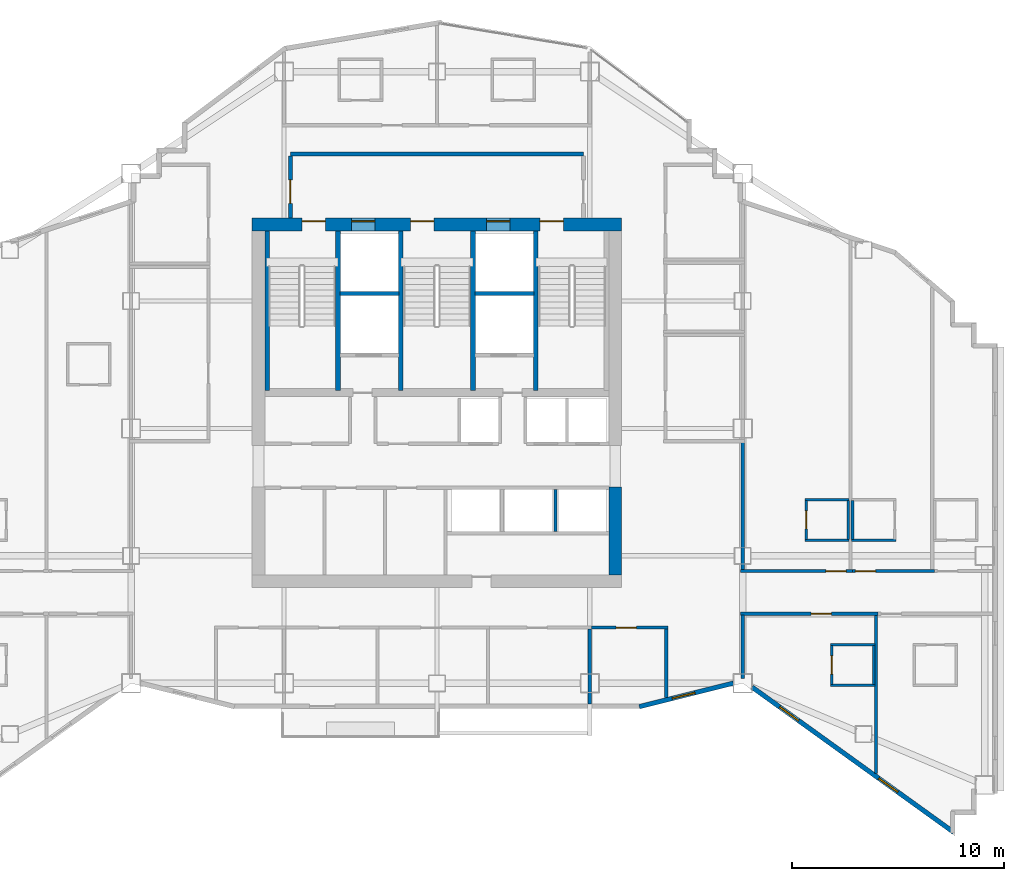
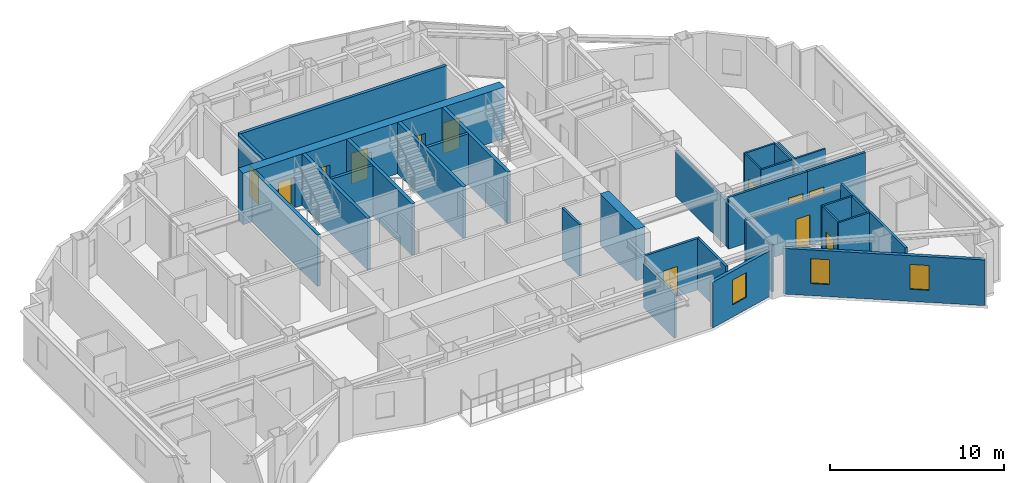
# One storey, part 7 of 13: 33 walls, 12 doors, 3 windows, 15 openings.
"""IFC4 building model written with IfcOpenShell, lengths in metres."""

from ifc_helpers import new_model, si_unit, direction, frame, frame_2d, origin, place, context, subcontext, project, spatial, rectangle, extrude, material, layer, layer_set, type_object, element, fill, save


model = new_model("IFC4")

# Units and contexts
model_context = context("Model", 3, precision=1e-05, world=origin(), true_north=direction((0.0, 1.0)))
body_context = subcontext(model_context, "Body", "Model", "MODEL_VIEW")
ifc_project = project(units=[si_unit("LENGTHUNIT", "METRE"), si_unit("AREAUNIT", "SQUARE_METRE"), si_unit("VOLUMEUNIT", "CUBIC_METRE"), si_unit("PLANEANGLEUNIT", "RADIAN"), si_unit("MASSUNIT", "GRAM", prefix="KILO")], contexts=[model_context])

# Site, building, storey
site_placement = place(None, origin())
site = spatial("IfcSite", under=ifc_project, at=site_placement, CompositionType="ELEMENT")
building_placement = place(site_placement, origin())
building = spatial("IfcBuilding", under=site, at=building_placement, Name="Haolan Belvedere Tower", CompositionType="ELEMENT")
storey_placement = place(building_placement, frame((0.0, 0.0, 219.199951171875)))
storey = spatial("IfcBuildingStorey", under=building, at=storey_placement, Name="L55", CompositionType="ELEMENT", Elevation=219.199951171875)

# Wall, openings, doors
ifc_material_1 = material(Name="Concrete C60/75", Category="concrete")
ifc_layer_1 = layer(ifc_material_1, 0.60009765625, Name="Concrete C60/75")
ifc_layer_set_1 = layer_set([ifc_layer_1], Name="Concrete C60/75")
wall_type_1 = type_object("IfcWallType", Name="WL-CORE-600", PredefinedType="SHEAR", material=ifc_layer_set_1)
wall_1_placement = place(storey_placement, frame((29.699951171875, 43.199951171875, 0.0), z_axis=(0.0, 0.0, 1.0), x_axis=(1.0, 0.0, 0.0)))
wall_1 = element("IfcWall", 1, at=wall_1_placement, inside=storey, type_object=wall_type_1, Name="L55 central core north shear wall", PredefinedType="SHEAR", context=body_context, shape_type="SweptSolid", body=[
    extrude(rectangle(XDim=17.400146484375, YDim=0.60009765625, at=frame_2d((8.7001953125, 0.0))), origin(), (0.0, 0.0, 1.0), 3.6201171875),
])
opening_1_placement = place(wall_1_placement, frame((2.35009765625, 0.0, 0.0)))
opening_1 = element("IfcOpeningElement", 2, at=opening_1_placement, cuts=wall_1, Name="Opening FD-03", PredefinedType="OPENING", context=body_context, shape_type="SweptSolid", body=[
    extrude(rectangle(XDim=1.10009765625, YDim=2.14990234375, at=frame_2d((0.550048828125, 1.074951171875))), frame((0.0, 0.31005859375, 0.0), z_axis=(0.0, -1.0, 0.0), x_axis=(1.0, 0.0, 0.0)), (0.0, 0.0, 1.0), 0.6201171875),
])
opening_2_placement = place(wall_1_placement, frame((7.4599609375, 0.0, 0.0)))
opening_2 = element("IfcOpeningElement", 3, at=opening_2_placement, cuts=wall_1, Name="Opening FD-03", PredefinedType="OPENING", context=body_context, shape_type="SweptSolid", body=[
    extrude(rectangle(XDim=1.10009765625, YDim=2.14990234375, at=frame_2d((0.550048828125, 1.074951171875))), frame((0.0, 0.31005859375, 0.0), z_axis=(0.0, -1.0, 0.0), x_axis=(1.0, 0.0, 0.0)), (0.0, 0.0, 1.0), 0.6201171875),
])
opening_3_placement = place(wall_1_placement, frame((13.550048828125, 0.0, 0.0)))
opening_3 = element("IfcOpeningElement", 4, at=opening_3_placement, cuts=wall_1, Name="Opening FD-03", PredefinedType="OPENING", context=body_context, shape_type="SweptSolid", body=[
    extrude(rectangle(XDim=1.10009765625, YDim=2.14990234375, at=frame_2d((0.550048828125, 1.074951171875))), frame((0.0, 0.31005859375, 0.0), z_axis=(0.0, -1.0, 0.0), x_axis=(1.0, 0.0, 0.0)), (0.0, 0.0, 1.0), 0.6201171875),
])
opening_4_placement = place(wall_1_placement, frame((4.679931640625, 0.0, 0.0)))
opening_4 = element("IfcOpeningElement", 5, at=opening_4_placement, cuts=wall_1, Name="Opening LD-01", PredefinedType="OPENING", context=body_context, shape_type="SweptSolid", body=[
    extrude(rectangle(XDim=1.10009765625, YDim=2.199951171875, at=frame_2d((0.550048828125, 1.10009765625))), frame((0.0, 0.31005859375, 0.0), z_axis=(0.0, -1.0, 0.0), x_axis=(1.0, 0.0, 0.0)), (0.0, 0.0, 1.0), 0.6201171875),
])
opening_5_placement = place(wall_1_placement, frame((11.0400390625, 0.0, 0.0)))
opening_5 = element("IfcOpeningElement", 6, at=opening_5_placement, cuts=wall_1, Name="Opening LD-01", PredefinedType="OPENING", context=body_context, shape_type="SweptSolid", body=[
    extrude(rectangle(XDim=1.10009765625, YDim=2.199951171875, at=frame_2d((0.550048828125, 1.10009765625))), frame((0.0, 0.31005859375, 0.0), z_axis=(0.0, -1.0, 0.0), x_axis=(1.0, 0.0, 0.0)), (0.0, 0.0, 1.0), 0.6201171875),
])
ifc_material_2 = material(Name="Galvanised fire-rated steel", Category="steel")
door_type_1 = type_object("IfcDoorType", Name="DR-FD90-1100", OperationType="NOTDEFINED", PredefinedType="DOOR", material=ifc_material_2)
door_1_placement = place(opening_1_placement, origin())
door_1 = element("IfcDoor", 7, at=door_1_placement, inside=storey, type_object=door_type_1, Name="L55 door CD-L55-ST1", OperationType="SINGLE_SWING_LEFT", OverallHeight=2.14990234375, OverallWidth=1.10009765625, PredefinedType="DOOR", context=body_context, shape_type="SweptSolid", body=[
    extrude(rectangle(XDim=1.10009765625, YDim=2.14990234375, at=frame_2d((0.550048828125, 1.074951171875))), frame((0.0, 0.18505859375, 0.0), z_axis=(0.0, -1.0, 0.0), x_axis=(1.0, 0.0, 0.0)), (0.0, 0.0, 1.0), 0.050048828125),
])
fill(opening_1, door_1)
door_2_placement = place(opening_2_placement, origin())
door_2 = element("IfcDoor", 8, at=door_2_placement, inside=storey, type_object=door_type_1, Name="L55 door CD-L55-ST3", OperationType="SINGLE_SWING_LEFT", OverallHeight=2.14990234375, OverallWidth=1.10009765625, PredefinedType="DOOR", context=body_context, shape_type="SweptSolid", body=[
    extrude(rectangle(XDim=1.10009765625, YDim=2.14990234375, at=frame_2d((0.550048828125, 1.074951171875))), frame((0.0, 0.18505859375, 0.0), z_axis=(0.0, -1.0, 0.0), x_axis=(1.0, 0.0, 0.0)), (0.0, 0.0, 1.0), 0.050048828125),
])
fill(opening_2, door_2)
door_3_placement = place(opening_3_placement, origin())
door_3 = element("IfcDoor", 9, at=door_3_placement, inside=storey, type_object=door_type_1, Name="L55 door CD-L55-ST2", OperationType="SINGLE_SWING_RIGHT", OverallHeight=2.14990234375, OverallWidth=1.10009765625, PredefinedType="DOOR", context=body_context, shape_type="SweptSolid", body=[
    extrude(rectangle(XDim=1.10009765625, YDim=2.14990234375, at=frame_2d((0.550048828125, 1.074951171875))), frame((0.0, 0.18505859375, 0.0), z_axis=(0.0, -1.0, 0.0), x_axis=(1.0, 0.0, 0.0)), (0.0, 0.0, 1.0), 0.050048828125),
])
fill(opening_3, door_3)
ifc_material_3 = material(Name="Brushed champagne stainless steel 316L", Category="steel")
door_type_2 = type_object("IfcDoorType", Name="DR-LIFT-1100", OperationType="SLIDING_TO_LEFT", PredefinedType="DOOR", material=ifc_material_3)
door_4_placement = place(opening_4_placement, origin())
door_4 = element("IfcDoor", 10, at=door_4_placement, inside=storey, type_object=door_type_2, Name="L55 door LD-L55-FF1", OperationType="SLIDING_TO_LEFT", OverallHeight=2.199951171875, OverallWidth=1.10009765625, PredefinedType="DOOR", context=body_context, shape_type="SweptSolid", body=[
    extrude(rectangle(XDim=1.10009765625, YDim=2.199951171875, at=frame_2d((0.550048828125, 1.10009765625))), frame((0.0, 0.18505859375, 0.0), z_axis=(0.0, -1.0, 0.0), x_axis=(1.0, 0.0, 0.0)), (0.0, 0.0, 1.0), 0.050048828125),
])
fill(opening_4, door_4)
door_5_placement = place(opening_5_placement, origin())
door_5 = element("IfcDoor", 11, at=door_5_placement, inside=storey, type_object=door_type_2, Name="L55 door LD-L55-FF2", OperationType="SLIDING_TO_LEFT", OverallHeight=2.199951171875, OverallWidth=1.10009765625, PredefinedType="DOOR", context=body_context, shape_type="SweptSolid", body=[
    extrude(rectangle(XDim=1.10009765625, YDim=2.199951171875, at=frame_2d((0.550048828125, 1.10009765625))), frame((0.0, 0.18505859375, 0.0), z_axis=(0.0, -1.0, 0.0), x_axis=(1.0, 0.0, 0.0)), (0.0, 0.0, 1.0), 0.050048828125),
])
fill(opening_5, door_5)

# Wall
wall_2_placement = place(storey_placement, frame((46.800048828125, 26.699951171875, 0.0), z_axis=(0.0, 0.0, 1.0), x_axis=(0.0, 1.0, 0.0)))
element("IfcWall", 12, at=wall_2_placement, inside=storey, type_object=wall_type_1, Name="L55 central core shear wall ES", PredefinedType="SHEAR", context=body_context, shape_type="SweptSolid", body=[
    extrude(rectangle(XDim=4.150146484375, YDim=0.60009765625, at=frame_2d((2.0751953125, 0.0))), origin(), (0.0, 0.0, 1.0), 3.6201171875),
])

# Wall, opening, window
ifc_material_4 = material(Name="Precast concrete C40/50", Category="concrete")
ifc_layer_2 = layer(ifc_material_4, 0.219970703125, Name="Precast concrete C40/50")
ifc_layer_set_2 = layer_set([ifc_layer_2], Name="Precast concrete C40/50")
wall_type_2 = type_object("IfcWallType", Name="WL-EXT-220", PredefinedType="SOLIDWALL", material=ifc_layer_set_2)
wall_3_placement = place(storey_placement, frame((47.93310546875, 20.49658203125, 0.0), z_axis=(0.0, 0.0, 1.0), x_axis=(0.970142500145, 0.242535625036, 0.0)))
wall_3 = element("IfcWall", 13, at=wall_3_placement, inside=storey, type_object=wall_type_2, Name="L55 pale-metal exterior spandrel wall 2.1", PredefinedType="SOLIDWALL", context=body_context, shape_type="SweptSolid", body=[
    extrude(rectangle(XDim=4.56103515625, YDim=0.219970703125, at=frame_2d((2.280517578125, 0.0))), origin(), (0.0, 0.0, 1.0), 3.215087890625),
])
opening_6_placement = place(wall_3_placement, frame((1.60009765625, 0.0, 0.85009765625)))
opening_6 = element("IfcOpeningElement", 14, at=opening_6_placement, cuts=wall_3, Name="Opening W-03", PredefinedType="OPENING", context=body_context, shape_type="SweptSolid", body=[
    extrude(rectangle(XDim=1.10009765625, YDim=1.75, at=frame_2d((0.550048828125, 0.875))), frame((0.0, 0.119873046875, 0.0), z_axis=(0.0, -1.0, 0.0), x_axis=(1.0, 0.0, 0.0)), (0.0, 0.0, 1.0), 0.239990234375),
])
ifc_material_5 = material(Name="Anodised aluminium 6063-T6 and Low-E glass", Category="aluminium")
window_type = type_object("IfcWindowType", Name="WN-DECO-Z3", PartitioningType="SINGLE_PANEL", PredefinedType="WINDOW", material=ifc_material_5)
window_1_placement = place(opening_6_placement, origin())
window_1 = element("IfcWindow", 15, at=window_1_placement, inside=storey, type_object=window_type, Name="L55 Art Deco chevron window 1", OverallHeight=1.75, OverallWidth=1.10009765625, PartitioningType="SINGLE_PANEL", PredefinedType="WINDOW", context=body_context, shape_type="SweptSolid", body=[
    extrude(rectangle(XDim=1.10009765625, YDim=1.75, at=frame_2d((0.550048828125, 0.875))), frame((0.0, 0.030029296875, 0.0), z_axis=(0.0, -1.0, 0.0), x_axis=(1.0, 0.0, 0.0)), (0.0, 0.0, 1.0), 0.06005859375),
])
fill(opening_6, window_1)

# Wall, openings, windows
wall_4_placement = place(storey_placement, frame((53.241943359375, 21.417236328125, 0.0), z_axis=(0.0, 0.0, 1.0), x_axis=(0.811534737332, -0.58430417601, 0.0)))
wall_4 = element("IfcWall", 16, at=wall_4_placement, inside=storey, type_object=wall_type_2, Name="L55 pale-metal exterior spandrel wall 3.1", PredefinedType="SOLIDWALL", context=body_context, shape_type="SweptSolid", body=[
    extrude(rectangle(XDim=11.697265625, YDim=0.219970703125, at=frame_2d((5.8486328125, 0.0))), origin(), (0.0, 0.0, 1.0), 3.215087890625),
])
opening_7_placement = place(wall_4_placement, frame((1.60009765625, 0.0, 0.85009765625)))
opening_7 = element("IfcOpeningElement", 17, at=opening_7_placement, cuts=wall_4, Name="Opening W-03", PredefinedType="OPENING", context=body_context, shape_type="SweptSolid", body=[
    extrude(rectangle(XDim=1.10009765625, YDim=1.75, at=frame_2d((0.550048828125, 0.875))), frame((0.0, 0.119873046875, 0.0), z_axis=(0.0, -1.0, 0.0), x_axis=(1.0, 0.0, 0.0)), (0.0, 0.0, 1.0), 0.239990234375),
])
opening_8_placement = place(wall_4_placement, frame((7.35546875, 0.0, 0.85009765625)))
opening_8 = element("IfcOpeningElement", 18, at=opening_8_placement, cuts=wall_4, Name="Opening W-03", PredefinedType="OPENING", context=body_context, shape_type="SweptSolid", body=[
    extrude(rectangle(XDim=1.10009765625, YDim=1.75, at=frame_2d((0.550048828125, 0.875))), frame((0.0, 0.119873046875, 0.0), z_axis=(0.0, -1.0, 0.0), x_axis=(1.0, 0.0, 0.0)), (0.0, 0.0, 1.0), 0.239990234375),
])
window_2_placement = place(opening_7_placement, origin())
window_2 = element("IfcWindow", 19, at=window_2_placement, inside=storey, type_object=window_type, Name="L55 Art Deco chevron window 1", OverallHeight=1.75, OverallWidth=1.10009765625, PartitioningType="SINGLE_PANEL", PredefinedType="WINDOW", context=body_context, shape_type="SweptSolid", body=[
    extrude(rectangle(XDim=1.10009765625, YDim=1.75, at=frame_2d((0.550048828125, 0.875))), frame((0.0, 0.030029296875, 0.0), z_axis=(0.0, -1.0, 0.0), x_axis=(1.0, 0.0, 0.0)), (0.0, 0.0, 1.0), 0.06005859375),
])
fill(opening_7, window_2)
window_3_placement = place(opening_8_placement, origin())
window_3 = element("IfcWindow", 20, at=window_3_placement, inside=storey, type_object=window_type, Name="L55 Art Deco chevron window 2", OverallHeight=1.75, OverallWidth=1.10009765625, PartitioningType="SINGLE_PANEL", PredefinedType="WINDOW", context=body_context, shape_type="SweptSolid", body=[
    extrude(rectangle(XDim=1.10009765625, YDim=1.75, at=frame_2d((0.550048828125, 0.875))), frame((0.0, 0.030029296875, 0.0), z_axis=(0.0, -1.0, 0.0), x_axis=(1.0, 0.0, 0.0)), (0.0, 0.0, 1.0), 0.06005859375),
])
fill(opening_8, window_3)

# Wall
ifc_material_6 = material(Name="Concrete C40/50", Category="concrete")
ifc_layer_3 = layer(ifc_material_6, 0.199951171875, Name="Concrete C40/50")
ifc_layer_set_3 = layer_set([ifc_layer_3], Name="Concrete C40/50")
wall_type_3 = type_object("IfcWallType", Name="WL-FIRE-200", PredefinedType="SOLIDWALL", material=ifc_layer_set_3)
wall_5_placement = place(storey_placement, frame((31.5, 46.52001953125, 0.0), z_axis=(0.0, 0.0, 1.0), x_axis=(1.0, 0.0, 0.0)))
element("IfcWall", 21, at=wall_5_placement, inside=storey, type_object=wall_type_3, Name="L55 interior partition IW-L55-FFL-N", PredefinedType="SOLIDWALL", context=body_context, shape_type="SweptSolid", body=[
    extrude(rectangle(XDim=13.800048828125, YDim=0.199951171875, at=frame_2d((6.89990234375, 0.0))), origin(), (0.0, 0.0, 1.0), 3.6201171875),
])

# Wall, opening, door
wall_6_placement = place(storey_placement, frame((31.5, 43.5, 0.0), z_axis=(0.0, 0.0, 1.0), x_axis=(0.0, 1.0, 0.0)))
wall_6 = element("IfcWall", 22, at=wall_6_placement, inside=storey, type_object=wall_type_3, Name="L55 interior partition IW-L55-FFL-W", PredefinedType="SOLIDWALL", context=body_context, shape_type="SweptSolid", body=[
    extrude(rectangle(XDim=2.93505859375, YDim=0.199951171875, at=frame_2d((1.467529296875, 0.0))), origin(), (0.0, 0.0, 1.0), 3.6201171875),
])
opening_9_placement = place(wall_6_placement, frame((1.800048828125, 0.0, 0.0), z_axis=(0.0, 0.0, 1.0), x_axis=(-1.0, 0.0, 0.0)))
opening_9 = element("IfcOpeningElement", 23, at=opening_9_placement, cuts=wall_6, Name="Opening FD-03", PredefinedType="OPENING", context=body_context, shape_type="SweptSolid", body=[
    extrude(rectangle(XDim=1.10009765625, YDim=2.14990234375, at=frame_2d((0.550048828125, 1.074951171875))), frame((0.0, 0.10986328125, 0.0), z_axis=(0.0, -1.0, 0.0), x_axis=(1.0, 0.0, 0.0)), (0.0, 0.0, 1.0), 0.219970703125),
])
door_6_placement = place(opening_9_placement, origin())
door_6 = element("IfcDoor", 24, at=door_6_placement, inside=storey, type_object=door_type_1, Name="L55 door ID-L55-FFL-DW", OperationType="SINGLE_SWING_LEFT", OverallHeight=2.14990234375, OverallWidth=1.10009765625, PredefinedType="DOOR", context=body_context, shape_type="SweptSolid", body=[
    extrude(rectangle(XDim=1.10009765625, YDim=2.14990234375, at=frame_2d((0.550048828125, 1.074951171875))), frame((0.0, 0.02490234375, 0.0), z_axis=(0.0, -1.0, 0.0), x_axis=(1.0, 0.0, 0.0)), (0.0, 0.0, 1.0), 0.050048828125),
])
fill(opening_9, door_6)

# Wall
ifc_material_7 = material(Name="Double gypsum acoustic stud partition", Category="masonry")
ifc_layer_4 = layer(ifc_material_7, 0.14990234375, Name="Double gypsum acoustic stud partition")
ifc_layer_set_4 = layer_set([ifc_layer_4], Name="Double gypsum acoustic stud partition")
wall_type_4 = type_object("IfcWallType", Name="WL-PART-150", PredefinedType="PARTITIONING", material=ifc_layer_set_4)
wall_7_placement = place(storey_placement, frame((45.60009765625, 20.612060546875, 0.0), z_axis=(0.0, 0.0, 1.0), x_axis=(0.0, 1.0, 0.0)))
element("IfcWall", 25, at=wall_7_placement, inside=storey, type_object=wall_type_4, Name="L55 interior partition IW-L55-KS5-E", PredefinedType="PARTITIONING", context=body_context, shape_type="SweptSolid", body=[
    extrude(rectangle(XDim=3.5478515625, YDim=0.14990234375, at=frame_2d((1.77392578125, 0.0))), origin(), (0.0, 0.0, 1.0), 3.10498046875),
])

# Wall, opening, door
wall_8_placement = place(storey_placement, frame((45.681884765625, 24.219970703125, 0.0), z_axis=(0.0, 0.0, 1.0), x_axis=(1.0, 0.0, 0.0)))
wall_8 = element("IfcWall", 26, at=wall_8_placement, inside=storey, type_object=wall_type_4, Name="L55 interior partition IW-L55-KS6-N", PredefinedType="PARTITIONING", context=body_context, shape_type="SweptSolid", body=[
    extrude(rectangle(XDim=3.59814453125, YDim=0.14990234375, at=frame_2d((1.799072265625, 0.0))), origin(), (0.0, 0.0, 1.0), 3.6201171875),
])
opening_10_placement = place(wall_8_placement, frame((2.113037109375, 0.0, 0.0), z_axis=(0.0, 0.0, 1.0), x_axis=(-1.0, 0.0, 0.0)))
opening_10 = element("IfcOpeningElement", 27, at=opening_10_placement, cuts=wall_8, Name="Opening ID-03", PredefinedType="OPENING", context=body_context, shape_type="SweptSolid", body=[
    extrude(rectangle(XDim=0.949951171875, YDim=2.1201171875, at=frame_2d((0.47509765625, 1.06005859375))), frame((0.0, 0.0849609375, 0.0), z_axis=(0.0, -1.0, 0.0), x_axis=(1.0, 0.0, 0.0)), (0.0, 0.0, 1.0), 0.169921875),
])
ifc_material_8 = material(Name="Painted solid-core timber", Category="wood")
door_type_3 = type_object("IfcDoorType", Name="DR-INT-950", OperationType="NOTDEFINED", PredefinedType="DOOR", material=ifc_material_8)
door_7_placement = place(opening_10_placement, origin())
door_7 = element("IfcDoor", 28, at=door_7_placement, inside=storey, type_object=door_type_3, Name="L55 door ID-L55-KS6", OperationType="SINGLE_SWING_RIGHT", OverallHeight=2.1201171875, OverallWidth=0.949951171875, PredefinedType="DOOR", context=body_context, shape_type="SweptSolid", body=[
    extrude(rectangle(XDim=0.949951171875, YDim=2.1201171875, at=frame_2d((0.47509765625, 1.06005859375))), frame((0.0, 0.02490234375, 0.0), z_axis=(0.0, -1.0, 0.0), x_axis=(1.0, 0.0, 0.0)), (0.0, 0.0, 1.0), 0.050048828125),
])
fill(opening_10, door_7)

# Wall
wall_9_placement = place(storey_placement, frame((49.199951171875, 20.91845703125, 0.0), z_axis=(0.0, 0.0, 1.0), x_axis=(0.0, 1.0, 0.0)))
element("IfcWall", 29, at=wall_9_placement, inside=storey, type_object=wall_type_4, Name="L55 interior partition IW-L55-KS6-E", PredefinedType="PARTITIONING", context=body_context, shape_type="SweptSolid", body=[
    extrude(rectangle(XDim=3.241455078125, YDim=0.14990234375, at=frame_2d((1.62060546875, 0.0))), origin(), (0.0, 0.0, 1.0), 3.6201171875),
])

# Wall, opening, door
wall_10_placement = place(storey_placement, frame((52.699951171875, 26.8798828125, 0.0), z_axis=(0.0, 0.0, 1.0), x_axis=(1.0, 0.0, 0.0)))
wall_10 = element("IfcWall", 30, at=wall_10_placement, inside=storey, type_object=wall_type_4, Name="L55 interior partition IW-L55-T4N1-S", PredefinedType="PARTITIONING", context=body_context, shape_type="SweptSolid", body=[
    extrude(rectangle(XDim=5.27001953125, YDim=0.14990234375, at=frame_2d((2.635009765625, 0.0))), origin(), (0.0, 0.0, 1.0), 3.6201171875),
])
opening_11_placement = place(wall_10_placement, frame((4.01708984375, 0.0, 0.0)))
opening_11 = element("IfcOpeningElement", 31, at=opening_11_placement, cuts=wall_10, Name="Opening ID-01", PredefinedType="OPENING", context=body_context, shape_type="SweptSolid", body=[
    extrude(rectangle(XDim=0.949951171875, YDim=2.179931640625, at=frame_2d((0.47509765625, 1.08984375))), frame((0.0, 0.0849609375, 0.0), z_axis=(0.0, -1.0, 0.0), x_axis=(1.0, 0.0, 0.0)), (0.0, 0.0, 1.0), 0.169921875),
])
ifc_material_9 = material(Name="Acoustic walnut veneer fire-rated timber", Category="wood")
door_type_4 = type_object("IfcDoorType", Name="DR-SUITE-950", OperationType="NOTDEFINED", PredefinedType="DOOR", material=ifc_material_9)
door_8_placement = place(opening_11_placement, origin())
door_8 = element("IfcDoor", 32, at=door_8_placement, inside=storey, type_object=door_type_4, Name="L55 door ID-L55-T4N1-ENT", OperationType="SINGLE_SWING_RIGHT", OverallHeight=2.179931640625, OverallWidth=0.949951171875, PredefinedType="DOOR", context=body_context, shape_type="SweptSolid", body=[
    extrude(rectangle(XDim=0.949951171875, YDim=2.179931640625, at=frame_2d((0.47509765625, 1.08984375))), frame((0.0, 0.02490234375, 0.0), z_axis=(0.0, -1.0, 0.0), x_axis=(1.0, 0.0, 0.0)), (0.0, 0.0, 1.0), 0.050048828125),
])
fill(opening_11, door_8)

# Wall
wall_11_placement = place(storey_placement, frame((52.800048828125, 26.93994140625, 0.0), z_axis=(0.0, 0.0, 1.0), x_axis=(0.0, 1.0, 0.0)))
element("IfcWall", 33, at=wall_11_placement, inside=storey, type_object=wall_type_4, Name="L55 interior partition IW-L55-T4N1-W", PredefinedType="PARTITIONING", context=body_context, shape_type="SweptSolid", body=[
    extrude(rectangle(XDim=6.0, YDim=0.14990234375, at=frame_2d((3.0, 0.0))), origin(), (0.0, 0.0, 1.0), 3.215087890625),
])

# Wall, opening, door
wall_12_placement = place(storey_placement, frame((57.971923828125, 26.8798828125, 0.0), z_axis=(0.0, 0.0, 1.0), x_axis=(1.0, 0.0, 0.0)))
wall_12 = element("IfcWall", 34, at=wall_12_placement, inside=storey, type_object=wall_type_4, Name="L55 interior partition IW-L55-T4N2-S", PredefinedType="PARTITIONING", context=body_context, shape_type="SweptSolid", body=[
    extrude(rectangle(XDim=3.858154296875, YDim=0.14990234375, at=frame_2d((1.92919921875, 0.0))), origin(), (0.0, 0.0, 1.0), 3.6201171875),
])
opening_12_placement = place(wall_12_placement, frame((0.139892578125, 0.0, 0.0)))
opening_12 = element("IfcOpeningElement", 35, at=opening_12_placement, cuts=wall_12, Name="Opening ID-02", PredefinedType="OPENING", context=body_context, shape_type="SweptSolid", body=[
    extrude(rectangle(XDim=0.949951171875, YDim=2.14990234375, at=frame_2d((0.47509765625, 1.074951171875))), frame((0.0, 0.0849609375, 0.0), z_axis=(0.0, -1.0, 0.0), x_axis=(1.0, 0.0, 0.0)), (0.0, 0.0, 1.0), 0.169921875),
])
ifc_material_10 = material(Name="Acoustic oak veneer fire-rated timber", Category="wood")
door_type_5 = type_object("IfcDoorType", Name="DR-GUEST-950", OperationType="NOTDEFINED", PredefinedType="DOOR", material=ifc_material_10)
door_9_placement = place(opening_12_placement, origin())
door_9 = element("IfcDoor", 36, at=door_9_placement, inside=storey, type_object=door_type_5, Name="L55 door ID-L55-T4N2-ENT", OperationType="SINGLE_SWING_LEFT", OverallHeight=2.14990234375, OverallWidth=0.949951171875, PredefinedType="DOOR", context=body_context, shape_type="SweptSolid", body=[
    extrude(rectangle(XDim=0.949951171875, YDim=2.14990234375, at=frame_2d((0.47509765625, 1.074951171875))), frame((0.0, 0.02490234375, 0.0), z_axis=(0.0, -1.0, 0.0), x_axis=(1.0, 0.0, 0.0)), (0.0, 0.0, 1.0), 0.050048828125),
])
fill(opening_12, door_9)

wall_13_placement = place(storey_placement, frame((52.699951171875, 24.8701171875, 0.0), z_axis=(0.0, 0.0, 1.0), x_axis=(1.0, 0.0, 0.0)))
wall_13 = element("IfcWall", 37, at=wall_13_placement, inside=storey, type_object=wall_type_4, Name="L55 interior partition IW-L55-T4S1-N", PredefinedType="PARTITIONING", context=body_context, shape_type="SweptSolid", body=[
    extrude(rectangle(XDim=6.47998046875, YDim=0.14990234375, at=frame_2d((3.239990234375, 0.0))), origin(), (0.0, 0.0, 1.0), 3.255126953125),
])
opening_13_placement = place(wall_13_placement, frame((4.27685546875, 0.0, 0.0), z_axis=(0.0, 0.0, 1.0), x_axis=(-1.0, 0.0, 0.0)))
opening_13 = element("IfcOpeningElement", 38, at=opening_13_placement, cuts=wall_13, Name="Opening ID-02", PredefinedType="OPENING", context=body_context, shape_type="SweptSolid", body=[
    extrude(rectangle(XDim=0.949951171875, YDim=2.14990234375, at=frame_2d((0.47509765625, 1.074951171875))), frame((0.0, 0.0849609375, 0.0), z_axis=(0.0, -1.0, 0.0), x_axis=(1.0, 0.0, 0.0)), (0.0, 0.0, 1.0), 0.169921875),
])
door_10_placement = place(opening_13_placement, origin())
door_10 = element("IfcDoor", 39, at=door_10_placement, inside=storey, type_object=door_type_5, Name="L55 door ID-L55-T4S1-ENT", OperationType="SINGLE_SWING_LEFT", OverallHeight=2.14990234375, OverallWidth=0.949951171875, PredefinedType="DOOR", context=body_context, shape_type="SweptSolid", body=[
    extrude(rectangle(XDim=0.949951171875, YDim=2.14990234375, at=frame_2d((0.47509765625, 1.074951171875))), frame((0.0, 0.02490234375, 0.0), z_axis=(0.0, -1.0, 0.0), x_axis=(1.0, 0.0, 0.0)), (0.0, 0.0, 1.0), 0.050048828125),
])
fill(opening_13, door_10)

# Walls
wall_14_placement = place(storey_placement, frame((52.800048828125, 21.818603515625, 0.0), z_axis=(0.0, 0.0, 1.0), x_axis=(0.0, 1.0, 0.0)))
element("IfcWall", 40, at=wall_14_placement, inside=storey, type_object=wall_type_4, Name="L55 interior partition IW-L55-T4S1-W", PredefinedType="PARTITIONING", context=body_context, shape_type="SweptSolid", body=[
    extrude(rectangle(XDim=2.991455078125, YDim=0.14990234375, at=frame_2d((1.49560546875, 0.0))), origin(), (0.0, 0.0, 1.0), 3.215087890625),
])
wall_15_placement = place(storey_placement, frame((59.080078125, 17.339599609375, 0.0), z_axis=(0.0, 0.0, 1.0), x_axis=(0.0, 1.0, 0.0)))
element("IfcWall", 41, at=wall_15_placement, inside=storey, type_object=wall_type_4, Name="L55 interior partition IW-L55-T4S1-E", PredefinedType="PARTITIONING", context=body_context, shape_type="SweptSolid", body=[
    extrude(rectangle(XDim=7.470458984375, YDim=0.14990234375, at=frame_2d((3.7353515625, 0.0))), origin(), (0.0, 0.0, 1.0), 3.6201171875),
])
ifc_material_11 = material(Name="Gypsum fire shaftwall assembly", Category="masonry")
ifc_layer_5 = layer(ifc_material_11, 0.1650390625, Name="Gypsum fire shaftwall assembly")
ifc_layer_set_5 = layer_set([ifc_layer_5], Name="Gypsum fire shaftwall assembly")
wall_type_5 = type_object("IfcWallType", Name="WL-SHAFT-160", PredefinedType="SOLIDWALL", material=ifc_layer_set_5)
wall_16_placement = place(storey_placement, frame((43.97998046875, 28.75, 0.0), z_axis=(0.0, 0.0, 1.0), x_axis=(0.0, 1.0, 0.0)))
element("IfcWall", 42, at=wall_16_placement, inside=storey, type_object=wall_type_5, Name="L55 interior partition IW-L55-DIV-OB2", PredefinedType="SOLIDWALL", context=body_context, shape_type="SweptSolid", body=[
    extrude(rectangle(XDim=1.985107421875, YDim=0.14990234375, at=frame_2d((0.99267578125, 0.0))), origin(), (0.0, 0.0, 1.0), 3.6201171875),
])
ifc_layer_6 = layer(ifc_material_4, 0.179931640625, Name="Precast concrete C40/50")
ifc_layer_set_6 = layer_set([ifc_layer_6], Name="Precast concrete C40/50")
wall_type_6 = type_object("IfcWallType", Name="WL-SHAFT-180", PredefinedType="SOLIDWALL", material=ifc_layer_set_6)
for number, where, z_axis, x_axis, name in (
    (43, (33.8349609375, 39.949951171875, 0.0), (0.0, 0.0, 1.0), (1.0, 0.0, 0.0), "L55 interior partition IW-L55-FF1-S"),
    (44, (40.195068359375, 39.949951171875, 0.0), (0.0, 0.0, 1.0), (1.0, 0.0, 0.0), "L55 interior partition IW-L55-FF2-S"),
):
    element("IfcWall", number, at=place(storey_placement, frame(where, z_axis=z_axis, x_axis=x_axis)), inside=storey, type_object=wall_type_6, Name=name, PredefinedType="SOLIDWALL", context=body_context, shape_type="SweptSolid", body=[
        extrude(rectangle(XDim=2.77001953125, YDim=0.179931640625, at=frame_2d((1.385009765625, 0.0))), origin(), (0.0, 0.0, 1.0), 3.6201171875),
    ])
ifc_material_12 = material(Name="Concrete C50/60", Category="concrete")
ifc_layer_7 = layer(ifc_material_12, 0.219970703125, Name="Concrete C50/60")
ifc_layer_set_7 = layer_set([ifc_layer_7], Name="Concrete C50/60")
wall_type_7 = type_object("IfcWallType", Name="WL-STAIR-220", PredefinedType="SHEAR", material=ifc_layer_set_7)
for number, where, z_axis, x_axis, name in (
    (45, (30.412109375, 35.389892578125, 0.0), (0.0, 0.0, 1.0), (0.0, 1.0, 0.0), "L55 structural stair core wall ST1W"),
    (46, (33.739990234375, 35.389892578125, 0.0), (0.0, 0.0, 1.0), (0.0, 1.0, 0.0), "L55 structural stair core wall ST1E"),
    (47, (36.699951171875, 35.389892578125, 0.0), (0.0, 0.0, 1.0), (0.0, 1.0, 0.0), "L55 structural stair core wall ST3W"),
    (48, (40.10009765625, 35.389892578125, 0.0), (0.0, 0.0, 1.0), (0.0, 1.0, 0.0), "L55 structural stair core wall ST3E"),
    (49, (43.06005859375, 35.389892578125, 0.0), (0.0, 0.0, 1.0), (0.0, 1.0, 0.0), "L55 structural stair core wall ST2W"),
):
    element("IfcWall", number, at=place(storey_placement, frame(where, z_axis=z_axis, x_axis=x_axis)), inside=storey, type_object=wall_type_7, Name=name, PredefinedType="SHEAR", context=body_context, shape_type="SweptSolid", body=[
        extrude(rectangle(XDim=7.510009765625, YDim=0.219970703125, at=frame_2d((3.7548828125, 0.0))), origin(), (0.0, 0.0, 1.0), 3.6201171875),
    ])
ifc_material_13 = material(Name="Moisture-resistant gypsum tile partition", Category="masonry")
ifc_layer_8 = layer(ifc_material_13, 0.1201171875, Name="Moisture-resistant gypsum tile partition")
ifc_layer_set_8 = layer_set([ifc_layer_8], Name="Moisture-resistant gypsum tile partition")
wall_type_8 = type_object("IfcWallType", Name="WL-WET-120", PredefinedType="PARTITIONING", material=ifc_layer_set_8)
for number, where, z_axis, x_axis, name in (
    (50, (55.72998046875, 30.25, 0.0), (0.0, 0.0, 1.0), (1.0, 0.0, 0.0), "L55 interior partition IW-L55-T4N1-BN"),
    (51, (55.72998046875, 28.330078125, 0.0), (0.0, 0.0, 1.0), (1.0, 0.0, 0.0), "L55 interior partition IW-L55-T4N1-BS"),
):
    element("IfcWall", number, at=place(storey_placement, frame(where, z_axis=z_axis, x_axis=x_axis)), inside=storey, type_object=wall_type_8, Name=name, PredefinedType="PARTITIONING", context=body_context, shape_type="SweptSolid", body=[
        extrude(rectangle(XDim=2.080078125, YDim=0.1201171875, at=frame_2d((1.0400390625, 0.0))), origin(), (0.0, 0.0, 1.0), 3.6201171875),
    ])

# Wall, opening, door
wall_17_placement = place(storey_placement, frame((55.7900390625, 28.375, 0.0), z_axis=(0.0, 0.0, 1.0), x_axis=(0.0, 1.0, 0.0)))
wall_17 = element("IfcWall", 52, at=wall_17_placement, inside=storey, type_object=wall_type_8, Name="L55 interior partition IW-L55-T4N1-BW", PredefinedType="PARTITIONING", context=body_context, shape_type="SweptSolid", body=[
    extrude(rectangle(XDim=1.830078125, YDim=0.1201171875, at=frame_2d((0.9150390625, 0.0))), origin(), (0.0, 0.0, 1.0), 3.6201171875),
])
opening_14_placement = place(wall_17_placement, frame((1.340087890625, 0.0, 0.0), z_axis=(0.0, 0.0, 1.0), x_axis=(-1.0, 0.0, 0.0)))
opening_14 = element("IfcOpeningElement", 53, at=opening_14_placement, cuts=wall_17, Name="Opening ID-05", PredefinedType="OPENING", context=body_context, shape_type="SweptSolid", body=[
    extrude(rectangle(XDim=0.85009765625, YDim=2.10009765625, at=frame_2d((0.425048828125, 1.050048828125))), frame((0.0, 0.070068359375, 0.0), z_axis=(0.0, -1.0, 0.0), x_axis=(1.0, 0.0, 0.0)), (0.0, 0.0, 1.0), 0.14013671875),
])
ifc_material_14 = material(Name="Moisture-resistant lacquered timber", Category="wood")
door_type_6 = type_object("IfcDoorType", Name="DR-BATH-850", OperationType="NOTDEFINED", PredefinedType="DOOR", material=ifc_material_14)
door_11_placement = place(opening_14_placement, origin())
door_11 = element("IfcDoor", 54, at=door_11_placement, inside=storey, type_object=door_type_6, Name="L55 door ID-L55-T4N1-BATH", OperationType="SINGLE_SWING_LEFT", OverallHeight=2.10009765625, OverallWidth=0.85009765625, PredefinedType="DOOR", context=body_context, shape_type="SweptSolid", body=[
    extrude(rectangle(XDim=0.85009765625, YDim=2.10009765625, at=frame_2d((0.425048828125, 1.050048828125))), frame((0.0, 0.02490234375, 0.0), z_axis=(0.0, -1.0, 0.0), x_axis=(1.0, 0.0, 0.0)), (0.0, 0.0, 1.0), 0.050048828125),
])
fill(opening_14, door_11)

# Walls
wall_18_placement = place(storey_placement, frame((57.77001953125, 28.375, 0.0), z_axis=(0.0, 0.0, 1.0), x_axis=(0.0, 1.0, 0.0)))
element("IfcWall", 55, at=wall_18_placement, inside=storey, type_object=wall_type_8, Name="L55 interior partition IW-L55-T4N1-BE", PredefinedType="PARTITIONING", context=body_context, shape_type="SweptSolid", body=[
    extrude(rectangle(XDim=1.830078125, YDim=0.1201171875, at=frame_2d((0.9150390625, 0.0))), origin(), (0.0, 0.0, 1.0), 3.6201171875),
])
wall_19_placement = place(storey_placement, frame((57.929931640625, 28.330078125, 0.0), z_axis=(0.0, 0.0, 1.0), x_axis=(1.0, 0.0, 0.0)))
element("IfcWall", 56, at=wall_19_placement, inside=storey, type_object=wall_type_8, Name="L55 interior partition IW-L55-T4N2-BS", PredefinedType="PARTITIONING", context=body_context, shape_type="SweptSolid", body=[
    extrude(rectangle(XDim=2.080078125, YDim=0.1201171875, at=frame_2d((1.0400390625, 0.0))), origin(), (0.0, 0.0, 1.0), 3.6201171875),
])
wall_20_placement = place(storey_placement, frame((57.969970703125, 28.375, 0.0), z_axis=(0.0, 0.0, 1.0), x_axis=(0.0, 1.0, 0.0)))
element("IfcWall", 57, at=wall_20_placement, inside=storey, type_object=wall_type_8, Name="L55 interior partition IW-L55-T4N2-BW", PredefinedType="PARTITIONING", context=body_context, shape_type="SweptSolid", body=[
    extrude(rectangle(XDim=1.830078125, YDim=0.1201171875, at=frame_2d((0.9150390625, 0.0))), origin(), (0.0, 0.0, 1.0), 3.6201171875),
])
for number, where, z_axis, x_axis, name in (
    (58, (56.93994140625, 23.419921875, 0.0), (0.0, 0.0, 1.0), (1.0, 0.0, 0.0), "L55 interior partition IW-L55-T4S1-BN"),
    (59, (56.93994140625, 21.5, 0.0), (0.0, 0.0, 1.0), (1.0, 0.0, 0.0), "L55 interior partition IW-L55-T4S1-BS"),
):
    element("IfcWall", number, at=place(storey_placement, frame(where, z_axis=z_axis, x_axis=x_axis)), inside=storey, type_object=wall_type_8, Name=name, PredefinedType="PARTITIONING", context=body_context, shape_type="SweptSolid", body=[
        extrude(rectangle(XDim=2.080078125, YDim=0.1201171875, at=frame_2d((1.0400390625, 0.0))), origin(), (0.0, 0.0, 1.0), 3.6201171875),
    ])

# Wall, opening, door
wall_21_placement = place(storey_placement, frame((57.0, 21.544921875, 0.0), z_axis=(0.0, 0.0, 1.0), x_axis=(0.0, 1.0, 0.0)))
wall_21 = element("IfcWall", 60, at=wall_21_placement, inside=storey, type_object=wall_type_8, Name="L55 interior partition IW-L55-T4S1-BW", PredefinedType="PARTITIONING", context=body_context, shape_type="SweptSolid", body=[
    extrude(rectangle(XDim=1.830078125, YDim=0.1201171875, at=frame_2d((0.9150390625, 0.0))), origin(), (0.0, 0.0, 1.0), 3.6201171875),
])
opening_15_placement = place(wall_21_placement, frame((1.340087890625, 0.0, 0.0), z_axis=(0.0, 0.0, 1.0), x_axis=(-1.0, 0.0, 0.0)))
opening_15 = element("IfcOpeningElement", 61, at=opening_15_placement, cuts=wall_21, Name="Opening ID-05", PredefinedType="OPENING", context=body_context, shape_type="SweptSolid", body=[
    extrude(rectangle(XDim=0.85009765625, YDim=2.10009765625, at=frame_2d((0.425048828125, 1.050048828125))), frame((0.0, 0.070068359375, 0.0), z_axis=(0.0, -1.0, 0.0), x_axis=(1.0, 0.0, 0.0)), (0.0, 0.0, 1.0), 0.14013671875),
])
door_12_placement = place(opening_15_placement, origin())
door_12 = element("IfcDoor", 62, at=door_12_placement, inside=storey, type_object=door_type_6, Name="L55 door ID-L55-T4S1-BATH", OperationType="SINGLE_SWING_RIGHT", OverallHeight=2.10009765625, OverallWidth=0.85009765625, PredefinedType="DOOR", context=body_context, shape_type="SweptSolid", body=[
    extrude(rectangle(XDim=0.85009765625, YDim=2.10009765625, at=frame_2d((0.425048828125, 1.050048828125))), frame((0.0, 0.02490234375, 0.0), z_axis=(0.0, -1.0, 0.0), x_axis=(1.0, 0.0, 0.0)), (0.0, 0.0, 1.0), 0.050048828125),
])
fill(opening_15, door_12)

# Wall
wall_22_placement = place(storey_placement, frame((58.97998046875, 21.544921875, 0.0), z_axis=(0.0, 0.0, 1.0), x_axis=(0.0, 1.0, 0.0)))
element("IfcWall", 63, at=wall_22_placement, inside=storey, type_object=wall_type_8, Name="L55 interior partition IW-L55-T4S1-BE", PredefinedType="PARTITIONING", context=body_context, shape_type="SweptSolid", body=[
    extrude(rectangle(XDim=1.830078125, YDim=0.1201171875, at=frame_2d((0.9150390625, 0.0))), origin(), (0.0, 0.0, 1.0), 3.6201171875),
])

save(model, "model.ifc")
